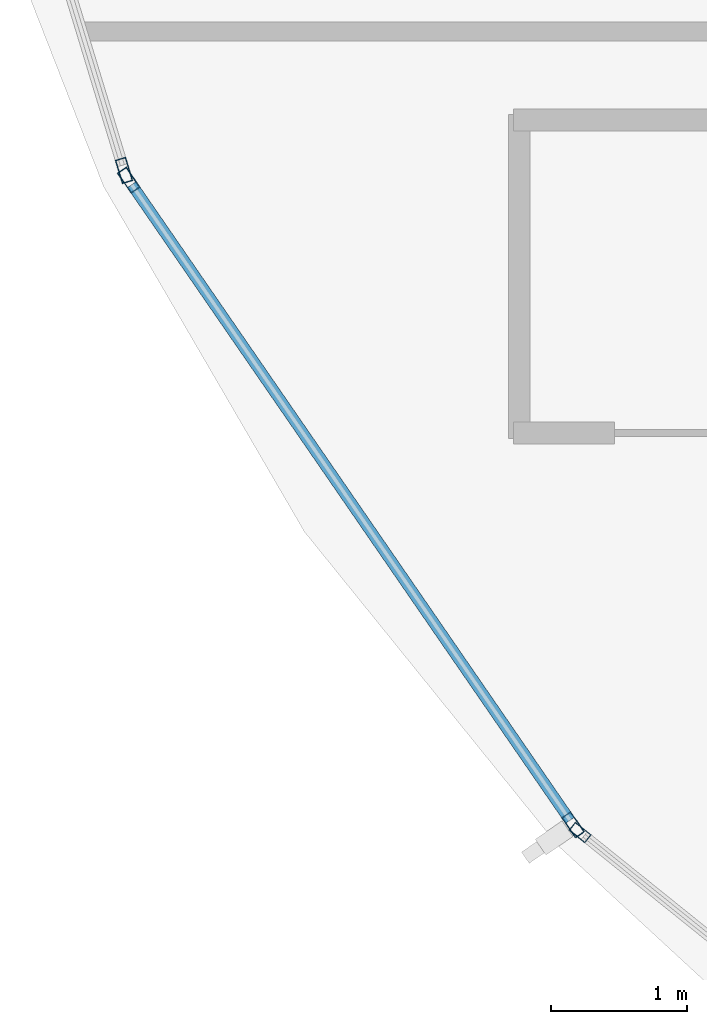
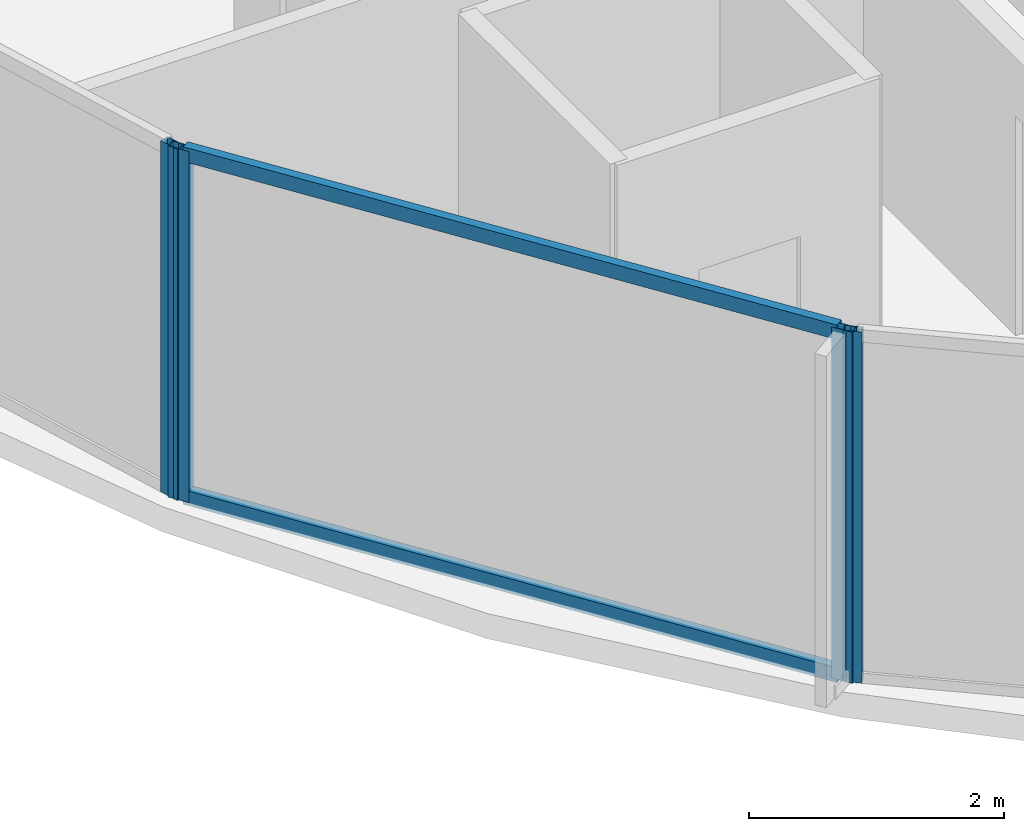
# One storey, part 3 of 33: 6 members, 3 elements without a shape of their own.
"""IFC4 building model written with IfcOpenShell, lengths in metres."""

from ifc_helpers import new_model, si_unit, direction, frame, origin, origin_2d, place, context, subcontext, project, spatial, hollow_rectangle, extrude, material, layer, layer_set, material_profile, profile_set, type_object, element, aggregate, save


model = new_model("IFC4")

# Units and contexts
model_context = context("Model", 3, precision=1e-05, world=origin(), true_north=direction((0.0, 1.0)))
body_context = subcontext(model_context, "Body", "Model", "MODEL_VIEW")
ifc_project = project(units=[si_unit("LENGTHUNIT", "METRE"), si_unit("AREAUNIT", "SQUARE_METRE"), si_unit("VOLUMEUNIT", "CUBIC_METRE"), si_unit("PLANEANGLEUNIT", "RADIAN"), si_unit("MASSUNIT", "GRAM", prefix="KILO")], contexts=[model_context])

# Site, building, storey
site_placement = place(None, origin())
site = spatial("IfcSite", under=ifc_project, at=site_placement, CompositionType="ELEMENT")
building_placement = place(site_placement, origin())
building = spatial("IfcBuilding", under=site, at=building_placement, Name="Kazevale Care Tower and Concert Hall", CompositionType="ELEMENT")
storey_placement = place(building_placement, frame((0.0, 0.0, 149.39990234375)))
storey = spatial("IfcBuildingStorey", under=building, at=storey_placement, Name="L39", CompositionType="ELEMENT", Elevation=149.39990234375)

# Curtain wall, members
ifc_material_1 = material(Name="Aluminium 6063-T6 and Low-E Glass", Category="aluminium")
ifc_layer_1 = layer(ifc_material_1, 0.179931640625)
ifc_layer_set_1 = layer_set([ifc_layer_1], Name="Aluminium 6063-T6 and Low-E Glass")
curtain_wall_type_1 = type_object("IfcCurtainWallType", Name="Waist & Upper Residential Curtain Wall CW-4", PredefinedType="NOTDEFINED", material=ifc_layer_set_1)
curtain_wall_1_placement = place(storey_placement, origin())
curtain_wall_1 = element("IfcCurtainWall", 1, at=curtain_wall_1_placement, inside=storey, type_object=curtain_wall_type_1, Name="cw:L39:f11", PredefinedType="NOTDEFINED")
ifc_material_2 = material(Name="Aluminium 6063-T6", Category="aluminium")
ifc_material_profile_1 = material_profile(ifc_material_2, hollow_rectangle(XDim=0.080078125, YDim=0.179931640625, WallThickness=0.0048828125, at=origin_2d()), Name="ALU80x180x5")
ifc_profile_set_1 = profile_set([ifc_material_profile_1], Name="Aluminium 6063-T6")
member_type_1 = type_object("IfcMemberType", Name="CW-4 Mullion ALU80x180x5", PredefinedType="MULLION", material=ifc_profile_set_1)
member_1_placement = place(storey_placement, frame((15.981201171875, 24.6708984375, 0.0), z_axis=(0.0, 0.0, 1.0), x_axis=(-0.823326035997, -0.567568708131, 0.0)))
member_1 = element("IfcMember", 2, at=member_1_placement, type_object=member_type_1, Name="CW-4 mullion 1", PredefinedType="MULLION", context=body_context, shape_type="SweptSolid", body=[
    extrude(hollow_rectangle(XDim=0.080078125, YDim=0.179931640625, WallThickness=0.0048828125, at=origin_2d()), origin(), (0.0, 0.0, 1.0), 3.360107421875),
])
member_2_placement = place(storey_placement, frame((12.7158203125, 29.407958984375, 0.0), z_axis=(0.0, 0.0, 1.0), x_axis=(-0.823326035997, -0.567568708131, 0.0)))
member_2 = element("IfcMember", 3, at=member_2_placement, type_object=member_type_1, Name="CW-4 mullion 2", PredefinedType="MULLION", context=body_context, shape_type="SweptSolid", body=[
    extrude(hollow_rectangle(XDim=0.080078125, YDim=0.179931640625, WallThickness=0.0048828125, at=origin_2d()), origin(), (0.0, 0.0, 1.0), 3.360107421875),
])

# Curtain wall, member
curtain_wall_2_placement = place(storey_placement, origin())
curtain_wall_2 = element("IfcCurtainWall", 4, at=curtain_wall_2_placement, inside=storey, type_object=curtain_wall_type_1, Name="cw:L39:f12", PredefinedType="NOTDEFINED")
member_3_placement = place(storey_placement, frame((12.681396484375, 29.479248046875, 0.0), z_axis=(0.0, 0.0, 1.0), x_axis=(-0.956729897234, -0.290977496961, 0.0)))
member_3 = element("IfcMember", 5, at=member_3_placement, type_object=member_type_1, Name="CW-4 mullion 1", PredefinedType="MULLION", context=body_context, shape_type="SweptSolid", body=[
    extrude(hollow_rectangle(XDim=0.080078125, YDim=0.179931640625, WallThickness=0.0048828125, at=origin_2d()), origin(), (0.0, 0.0, 1.0), 3.360107421875),
])
aggregate(curtain_wall_2, [member_3])

# Member
ifc_material_profile_2 = material_profile(ifc_material_2, hollow_rectangle(XDim=0.080078125, YDim=0.139892578125, WallThickness=0.00390625, at=origin_2d()), Name="ALU80x140x4")
ifc_profile_set_2 = profile_set([ifc_material_profile_2], Name="Aluminium 6063-T6")
member_type_2 = type_object("IfcMemberType", Name="CW-4 Transom ALU80x140x4", PredefinedType="USERDEFINED", material=ifc_profile_set_2)
member_4_placement = place(storey_placement, frame((15.95849609375, 24.703857421875, 0.0400390625), z_axis=(-0.567532833811, 0.823350765194, 0.0), x_axis=(-0.823350765194, -0.567532833811, 0.0)))
member_4 = element("IfcMember", 6, at=member_4_placement, type_object=member_type_2, Name="CW-4 transom 1.1", ObjectType="TRANSOM", PredefinedType="USERDEFINED", context=body_context, shape_type="SweptSolid", body=[
    extrude(hollow_rectangle(XDim=0.080078125, YDim=0.139892578125, WallThickness=0.00390625, at=origin_2d()), origin(), (0.0, 0.0, 1.0), 5.673583984375),
])

member_5_placement = place(storey_placement, frame((15.95849609375, 24.703857421875, 3.320068359375), z_axis=(-0.567532833811, 0.823350765194, 0.0), x_axis=(-0.823350765194, -0.567532833811, 0.0)))
member_5 = element("IfcMember", 7, at=member_5_placement, type_object=member_type_2, Name="CW-4 transom 1.2", ObjectType="TRANSOM", PredefinedType="USERDEFINED", context=body_context, shape_type="SweptSolid", body=[
    extrude(hollow_rectangle(XDim=0.080078125, YDim=0.139892578125, WallThickness=0.00390625, at=origin_2d()), origin(), (0.0, 0.0, 1.0), 5.673583984375),
])

aggregate(curtain_wall_1, [member_1, member_2, member_4, member_5])

# Curtain wall, member
ifc_layer_2 = layer(ifc_material_1, 0.179931640625)
ifc_layer_set_2 = layer_set([ifc_layer_2], Name="Aluminium 6063-T6 and Low-E Glass")
curtain_wall_type_2 = type_object("IfcCurtainWallType", Name="Sheltered Concave Balcony Curtain Wall CW-5", PredefinedType="NOTDEFINED", material=ifc_layer_set_2)
curtain_wall_3_placement = place(storey_placement, origin())
curtain_wall_3 = element("IfcCurtainWall", 8, at=curtain_wall_3_placement, inside=storey, type_object=curtain_wall_type_2, Name="cw:L39:f10", PredefinedType="NOTDEFINED")
ifc_material_profile_3 = material_profile(ifc_material_2, hollow_rectangle(XDim=0.074951171875, YDim=0.14990234375, WallThickness=0.00390625, at=origin_2d()), Name="ALU75x150x4")
ifc_profile_set_3 = profile_set([ifc_material_profile_3], Name="Aluminium 6063-T6")
member_type_3 = type_object("IfcMemberType", Name="CW-5 Mullion ALU75x150x4", PredefinedType="MULLION", material=ifc_profile_set_3)
member_6_placement = place(storey_placement, frame((16.033203125, 24.614501953125, 0.0), z_axis=(0.0, 0.0, 1.0), x_axis=(-0.626905357502, -0.779095419531, 0.0)))
member_6 = element("IfcMember", 9, at=member_6_placement, type_object=member_type_3, Name="CW-5 mullion 2", PredefinedType="MULLION", context=body_context, shape_type="SweptSolid", body=[
    extrude(hollow_rectangle(XDim=0.074951171875, YDim=0.14990234375, WallThickness=0.00390625, at=origin_2d()), origin(), (0.0, 0.0, 1.0), 3.360107421875),
])
aggregate(curtain_wall_3, [member_6])

save(model, "model.ifc")
